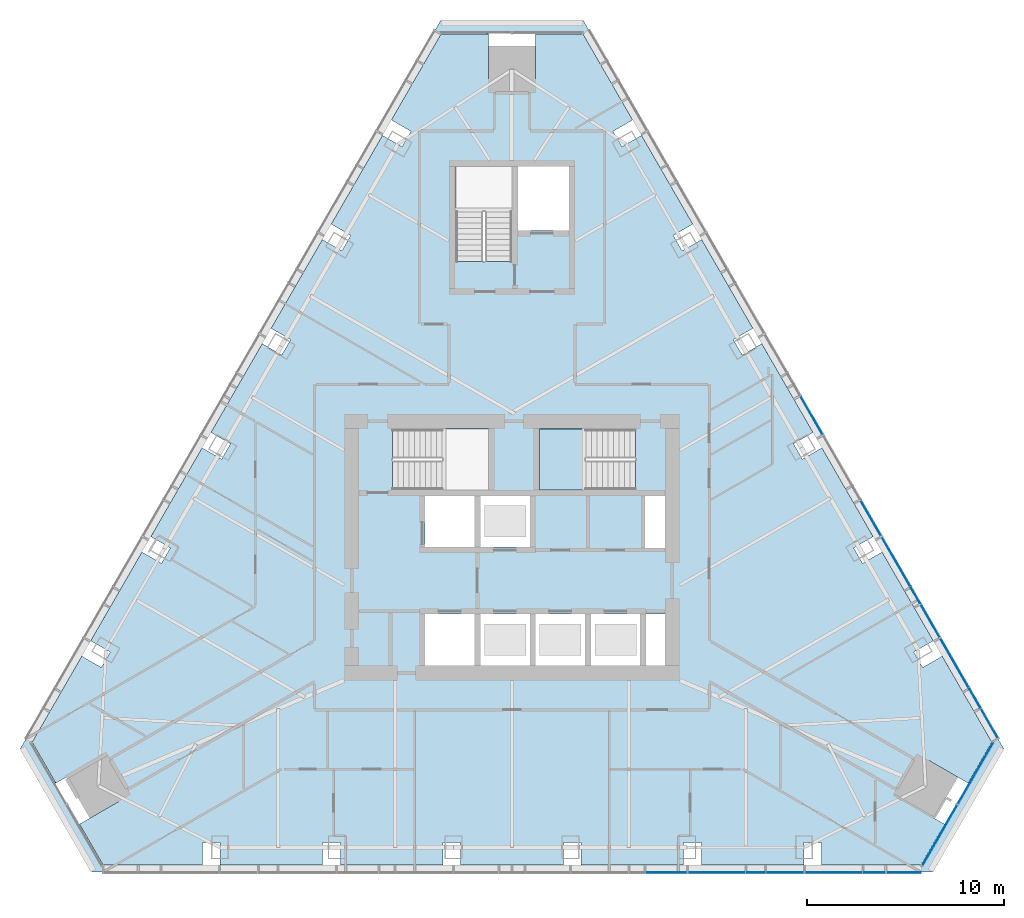
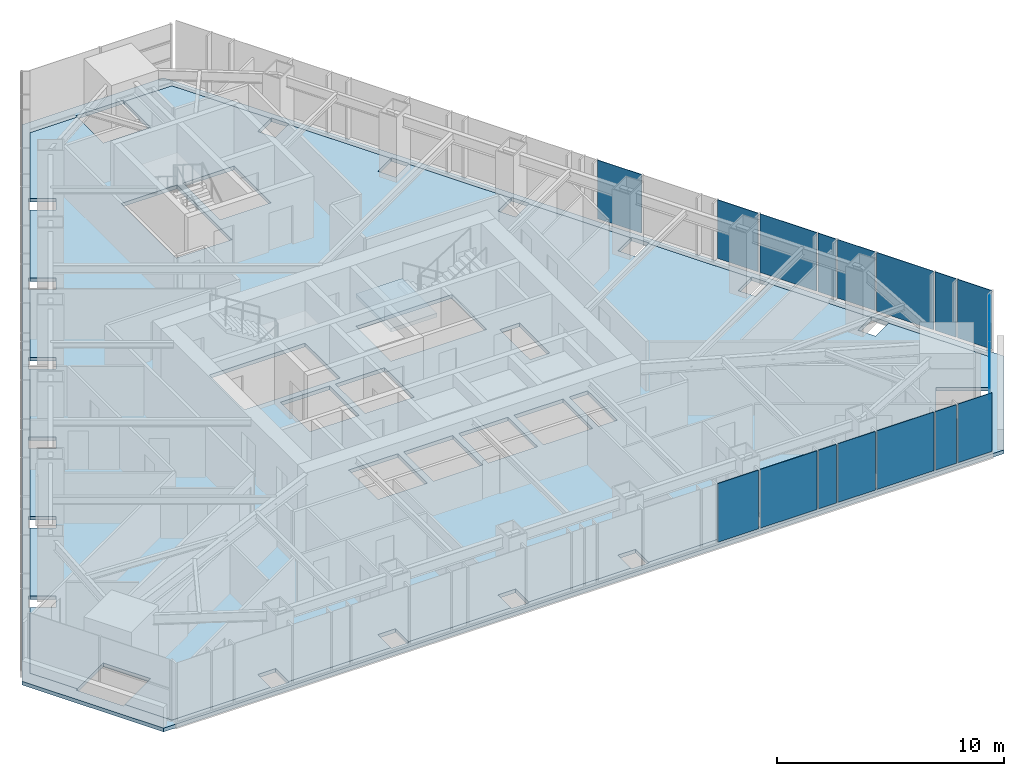
# One storey, part 8 of 15: 18 plates, 3 slabs, 4 elements without a shape of their own.
"""IFC4 building model written with IfcOpenShell, lengths in metres."""

from ifc_helpers import new_model, si_unit, direction, frame, origin, place, context, subcontext, project, spatial, polyline, outline, extrude, material, layer, layer_set, type_object, element, aggregate, save


model = new_model("IFC4")

# Units and contexts
model_context = context("Model", 3, precision=1e-05, world=origin(), true_north=direction((0.0, 1.0)))
body_context = subcontext(model_context, "Body", "Model", "MODEL_VIEW")
ifc_project = project(units=[si_unit("LENGTHUNIT", "METRE"), si_unit("AREAUNIT", "SQUARE_METRE"), si_unit("VOLUMEUNIT", "CUBIC_METRE"), si_unit("PLANEANGLEUNIT", "RADIAN"), si_unit("MASSUNIT", "GRAM", prefix="KILO")], contexts=[model_context])

# Site, building, storey
site_placement = place(None, origin())
site = spatial("IfcSite", under=ifc_project, at=site_placement, CompositionType="ELEMENT")
building_placement = place(site_placement, origin())
building = spatial("IfcBuilding", under=site, at=building_placement, Name="Firuza Gate Tower and Library", CompositionType="ELEMENT")
storey_placement = place(building_placement, frame((0.0, 0.0, 309.10009765625)))
storey = spatial("IfcBuildingStorey", under=building, at=storey_placement, Name="L75", CompositionType="ELEMENT", Elevation=309.10009765625)

# Slab
ifc_material_1 = material(Name="Concrete C40/50", Category="concrete")
ifc_layer_1 = layer(ifc_material_1, 0.199951171875)
ifc_layer_set_1 = layer_set([ifc_layer_1], Name="Composite floor slab 200 C40/50")
slab_type_1 = type_object("IfcSlabType", Name="Composite floor slab 200 C40/50", PredefinedType="FLOOR", material=ifc_layer_set_1)
placement_1 = place(storey_placement, frame((0.0, 0.0, -0.2001953125)))
element("IfcSlab", 1, at=placement_1, inside=storey, type_object=slab_type_1, Name="Floor slab L75", PredefinedType="FLOOR", context=body_context, shape_type="SweptSolid", body=[
    extrude(outline(polyline([(54.280029296875, 58.88037109375), (59.31005859375, 58.88037109375), (59.31005859375, 60.024658203125), (60.2099609375, 60.024658203125), (60.2099609375, 58.88037109375), (65.406005859375, 58.88037109375), (65.406005859375, 60.024658203125), (66.305908203125, 60.024658203125), (66.305908203125, 58.88037109375), (71.501953125, 58.88037109375), (71.501953125, 60.024658203125), (72.402099609375, 60.024658203125), (72.402099609375, 58.88037109375), (77.597900390625, 58.88037109375), (77.597900390625, 60.024658203125), (78.498046875, 60.024658203125), (78.498046875, 58.88037109375), (83.694091796875, 58.88037109375), (83.694091796875, 60.024658203125), (84.593994140625, 60.024658203125), (84.593994140625, 58.88037109375), (89.7900390625, 58.88037109375), (89.7900390625, 60.024658203125), (90.68994140625, 60.024658203125), (90.68994140625, 58.88037109375), (95.719970703125, 58.88037109375), (96.919921875, 60.958740234375), (94.93798828125, 62.103271484375), (96.137939453125, 64.181640625), (98.1201171875, 63.037353515625), (99.320068359375, 65.11572265625), (96.804931640625, 69.471923828125), (95.81396484375, 68.899658203125), (95.364013671875, 69.67919921875), (96.35498046875, 70.251220703125), (93.757080078125, 74.751220703125), (92.765869140625, 74.178955078125), (92.31591796875, 74.95849609375), (93.306884765625, 75.530517578125), (90.708984375, 80.030517578125), (89.718017578125, 79.458251953125), (89.26806640625, 80.23779296875), (90.259033203125, 80.809814453125), (87.660888671875, 85.309814453125), (86.669921875, 84.737548828125), (86.219970703125, 85.51708984375), (87.2109375, 86.089111328125), (84.613037109375, 90.589111328125), (83.6220703125, 90.016845703125), (83.171875, 90.79638671875), (84.1630859375, 91.368408203125), (81.56494140625, 95.868408203125), (80.573974609375, 95.296142578125), (80.1240234375, 96.07568359375), (81.114990234375, 96.647705078125), (78.60009765625, 101.00390625), (76.199951171875, 101.00390625), (76.199951171875, 98.715087890625), (73.800048828125, 98.715087890625), (73.800048828125, 101.00390625), (71.39990234375, 101.00390625), (68.885009765625, 96.647705078125), (69.8759765625, 96.07568359375), (69.426025390625, 95.296142578125), (68.43505859375, 95.868408203125), (65.8369140625, 91.368408203125), (66.828125, 90.79638671875), (66.3779296875, 90.016845703125), (65.386962890625, 90.589111328125), (62.7890625, 86.089111328125), (63.780029296875, 85.51708984375), (63.330078125, 84.737548828125), (62.339111328125, 85.309814453125), (59.740966796875, 80.809814453125), (60.73193359375, 80.23779296875), (60.281982421875, 79.458251953125), (59.291015625, 80.030517578125), (56.693115234375, 75.530517578125), (57.68408203125, 74.95849609375), (57.234130859375, 74.178955078125), (56.242919921875, 74.751220703125), (53.64501953125, 70.251220703125), (54.635986328125, 69.67919921875), (54.18603515625, 68.899658203125), (53.195068359375, 69.471923828125), (50.679931640625, 65.11572265625), (51.8798828125, 63.037353515625), (53.862060546875, 64.181640625), (55.06201171875, 62.103271484375), (53.080078125, 60.958740234375), (54.280029296875, 58.88037109375)]), holes=[polyline([(73.10009765625, 69.0), (70.60009765625, 69.0), (70.60009765625, 71.60009765625), (73.10009765625, 71.60009765625), (73.10009765625, 69.0)]), polyline([(75.89990234375, 69.0), (73.39990234375, 69.0), (73.39990234375, 71.60009765625), (75.89990234375, 71.60009765625), (75.89990234375, 69.0)]), polyline([(73.10009765625, 75.0), (70.60009765625, 75.0), (70.60009765625, 77.60009765625), (73.10009765625, 77.60009765625), (73.10009765625, 75.0)]), polyline([(75.89990234375, 75.0), (73.39990234375, 75.0), (73.39990234375, 77.60009765625), (75.89990234375, 77.60009765625), (75.89990234375, 75.0)]), polyline([(68.9404296875, 77.89990234375), (68.9404296875, 80.97998046875), (73.81005859375, 80.97998046875), (73.81005859375, 77.89990234375), (68.9404296875, 77.89990234375)]), polyline([(72.159912109375, 89.470458984375), (72.159912109375, 94.300048828125), (75.0, 94.300048828125), (75.0, 89.470458984375), (72.159912109375, 89.470458984375)]), polyline([(78.699951171875, 69.0), (76.199951171875, 69.0), (76.199951171875, 71.60009765625), (78.699951171875, 71.60009765625), (78.699951171875, 69.0)]), polyline([(81.5, 69.0), (79.0, 69.0), (79.0, 71.60009765625), (81.5, 71.60009765625), (81.5, 69.0)]), polyline([(82.75, 69.0), (81.800048828125, 69.0), (81.800048828125, 71.60009765625), (82.75, 71.60009765625), (82.75, 69.0)]), polyline([(82.75, 74.949951171875), (81.75, 74.949951171875), (81.75, 77.60009765625), (82.75, 77.60009765625), (82.75, 74.949951171875)]), polyline([(81.259521484375, 80.97998046875), (81.259521484375, 77.89990234375), (76.389892578125, 77.89990234375), (76.389892578125, 80.97998046875), (81.259521484375, 80.97998046875)]), polyline([(75.300048828125, 91.050048828125), (75.300048828125, 94.300048828125), (77.89990234375, 94.300048828125), (77.89990234375, 91.050048828125), (75.300048828125, 91.050048828125)])]), origin(), (0.0, 0.0, 1.0), 0.2001953125),
])

# Curtain wall, plate
ifc_material_2 = material(Name="Aluminium 6063-T6", Category="aluminium")
ifc_layer_2 = layer(ifc_material_2, 0.14990234375)
ifc_layer_set_2 = layer_set([ifc_layer_2], Name="Corner curtain wall, chamfers")
curtain_wall_type_1 = type_object("IfcCurtainWallType", Name="Corner curtain wall, chamfers", PredefinedType="NOTDEFINED", material=ifc_layer_set_2)
placement_2 = place(storey_placement, origin())
curtain_wall_1 = element("IfcCurtainWall", 2, at=placement_2, inside=storey, type_object=curtain_wall_type_1, Name="CW4 L75 SE corner", PredefinedType="NOTDEFINED")
ifc_material_3 = material(Name="Fritted glass", Category="glass")
ifc_layer_3 = layer(ifc_material_3, 0.030029296875)
ifc_layer_set_3 = layer_set([ifc_layer_3], Name="Fritted glass unit, corners")
plate_type_1 = type_object("IfcPlateType", Name="Fritted glass unit, corners", PredefinedType="CURTAIN_PANEL", material=ifc_layer_set_3)
plate_1_placement = place(storey_placement, frame((97.617919921875, 61.98779296875, 0.14990234375), z_axis=(0.866016723041, -0.500015035186, 0.0), x_axis=(0.500015035186, 0.866016723041, 0.0)))
plate_1 = element("IfcPlate", 3, at=plate_1_placement, type_object=plate_type_1, Name="Glass unit", PredefinedType="CURTAIN_PANEL", context=body_context, shape_type="SweptSolid", body=[
    extrude(outline(polyline([(0.0, 0.0), (3.5633694106530625, 0.0), (3.5633694106530625, 1.5349121093749998), (0.0, 1.5349121093749998), (0.0, 0.0)])), origin(), (0.0, 0.0, -1.0), 0.030029296875),
])

# Curtain wall, plates
ifc_material_4 = material(Name="Aluminium 6063-T6", Category="aluminium")
ifc_layer_4 = layer(ifc_material_4, 0.14990234375)
ifc_layer_set_4 = layer_set([ifc_layer_4], Name="Unitised curtain wall, residences")
curtain_wall_type_2 = type_object("IfcCurtainWallType", Name="Unitised curtain wall, residences", PredefinedType="NOTDEFINED", material=ifc_layer_set_4)
curtain_wall_2 = element("IfcCurtainWall", 4, at=placement_2, inside=storey, type_object=curtain_wall_type_2, Name="CW3 L75 S face", PredefinedType="NOTDEFINED")
ifc_material_5 = material(Name="Fritted glass", Category="glass")
ifc_layer_5 = layer(ifc_material_5, 0.030029296875)
ifc_layer_set_5 = layer_set([ifc_layer_5], Name="Fritted glass unit, residences")
plate_type_2 = type_object("IfcPlateType", Name="Fritted glass unit, residences", PredefinedType="CURTAIN_PANEL", material=ifc_layer_set_5)
plate_2_placement = place(storey_placement, frame((86.90478515625, 58.50048828125, 0.14990234375), z_axis=(0.0, -1.0, 0.0), x_axis=(1.0, 0.0, 0.0)))
plate_2 = element("IfcPlate", 5, at=plate_2_placement, type_object=plate_type_2, Name="Glass unit", PredefinedType="CURTAIN_PANEL", context=body_context, shape_type="SweptSolid", body=[
    extrude(outline(polyline([(0.0, 0.0), (0.900634765625, 0.0), (0.900634765625, 3.14990234375), (0.0, 3.14990234375), (0.0, 0.0)])), origin(), (0.0, 0.0, -1.0), 0.030029296875),
])
plate_3_placement = place(storey_placement, frame((92.837158203125, 58.50048828125, 0.14990234375), z_axis=(0.0, -1.0, 0.0), x_axis=(1.0, 0.0, 0.0)))
plate_3 = element("IfcPlate", 6, at=plate_3_placement, type_object=plate_type_2, Name="Glass unit", PredefinedType="CURTAIN_PANEL", context=body_context, shape_type="SweptSolid", body=[
    extrude(outline(polyline([(0.0, 0.0), (1.064208984375, 0.0), (1.064208984375, 3.14990234375), (0.0, 3.14990234375), (0.0, 0.0)])), origin(), (0.0, 0.0, -1.0), 0.030029296875),
])

curtain_wall_3 = element("IfcCurtainWall", 7, at=placement_2, inside=storey, type_object=curtain_wall_type_2, Name="CW3 L75 E face", PredefinedType="NOTDEFINED")
plate_4_placement = place(storey_placement, frame((98.73974609375, 66.880859375, 0.14990234375), z_axis=(0.866074799679, 0.49991443404, 0.0), x_axis=(-0.49991443404, 0.866074799679, 0.0)))
plate_4 = element("IfcPlate", 8, at=plate_4_placement, type_object=plate_type_2, Name="Glass unit", PredefinedType="CURTAIN_PANEL", context=body_context, shape_type="SweptSolid", body=[
    extrude(outline(polyline([(0.0, 0.0), (1.0641469532617625, 0.0), (1.0641469532617625, 3.14990234375), (0.0, 3.14990234375), (0.0, 0.0)])), origin(), (0.0, 0.0, -1.0), 0.030029296875),
])
plate_5_placement = place(storey_placement, frame((95.69189453125, 72.159912109375, 0.14990234375), z_axis=(0.865982457891, 0.500074377092, 0.0), x_axis=(-0.500074377092, 0.865982457891, 0.0)))
plate_5 = element("IfcPlate", 9, at=plate_5_placement, type_object=plate_type_2, Name="Glass unit", PredefinedType="CURTAIN_PANEL", context=body_context, shape_type="SweptSolid", body=[
    extrude(outline(polyline([(0.0, 0.0), (0.9007449166744468, 0.0), (0.9007449166744468, 3.14990234375), (0.0, 3.14990234375), (0.0, 0.0)])), origin(), (0.0, 0.0, -1.0), 0.030029296875),
])

# Plate
ifc_material_6 = material(Name="Glazed ceramic tile")
ifc_layer_6 = layer(ifc_material_6, 0.030029296875)
ifc_layer_set_6 = layer_set([ifc_layer_6], Name="Opaque ceramic panel, corners")
plate_type_3 = type_object("IfcPlateType", Name="Opaque ceramic panel, corners", PredefinedType="CURTAIN_PANEL", material=ifc_layer_set_6)
plate_6_placement = place(storey_placement, frame((95.79638671875, 58.83251953125, 0.14990234375), z_axis=(0.866046390552, -0.49996364809, 0.0), x_axis=(0.49996364809, 0.866046390552, 0.0)))
plate_6 = element("IfcPlate", 10, at=plate_6_placement, type_object=plate_type_3, Name="Opaque ceramic panel", PredefinedType="CURTAIN_PANEL", context=body_context, shape_type="SweptSolid", body=[
    extrude(outline(polyline([(0.0, 0.0), (3.563247342942594, 0.0), (3.563247342942594, 3.14990234375), (0.0, 3.14990234375), (0.0, 0.0)])), origin(), (0.0, 0.0, -1.0), 0.030029296875),
])

plate_7_placement = place(storey_placement, frame((97.617919921875, 61.98779296875, 1.764892578125), z_axis=(0.866016723041, -0.500015035186, 0.0), x_axis=(0.500015035186, 0.866016723041, 0.0)))
plate_7 = element("IfcPlate", 11, at=plate_7_placement, type_object=plate_type_3, Name="Opaque ceramic panel", PredefinedType="CURTAIN_PANEL", context=body_context, shape_type="SweptSolid", body=[
    extrude(outline(polyline([(0.0, 0.0), (3.5633694106530625, 0.0), (3.5633694106530625, 1.5349121093749998), (0.0, 1.5349121093749998), (0.0, 0.0)])), origin(), (0.0, 0.0, -1.0), 0.030029296875),
])

aggregate(curtain_wall_1, [plate_6, plate_1, plate_7])

ifc_material_7 = material(Name="Glazed ceramic tile")
ifc_layer_7 = layer(ifc_material_7, 0.030029296875)
ifc_layer_set_7 = layer_set([ifc_layer_7], Name="Opaque ceramic panel, residences")
plate_type_4 = type_object("IfcPlateType", Name="Opaque ceramic panel, residences", PredefinedType="CURTAIN_PANEL", material=ifc_layer_set_7)
plate_8_placement = place(storey_placement, frame((81.789306640625, 58.50048828125, 0.14990234375), z_axis=(0.0, -1.0, 0.0), x_axis=(1.0, 0.0, 0.0)))
plate_8 = element("IfcPlate", 12, at=plate_8_placement, type_object=plate_type_4, Name="Opaque ceramic panel", PredefinedType="CURTAIN_PANEL", context=body_context, shape_type="SweptSolid", body=[
    extrude(outline(polyline([(0.0, 0.0), (2.0693359375, 0.0), (2.0693359375, 3.14990234375), (0.0, 3.14990234375), (0.0, 0.0)])), origin(), (0.0, 0.0, -1.0), 0.030029296875),
])

plate_9_placement = place(storey_placement, frame((83.9384765625, 58.50048828125, 0.14990234375), z_axis=(0.0, -1.0, 0.0), x_axis=(1.0, 0.0, 0.0)))
plate_9 = element("IfcPlate", 13, at=plate_9_placement, type_object=plate_type_4, Name="Opaque ceramic panel", PredefinedType="CURTAIN_PANEL", context=body_context, shape_type="SweptSolid", body=[
    extrude(outline(polyline([(0.0, 0.0), (2.88623046875, 0.0), (2.88623046875, 3.14990234375), (0.0, 3.14990234375), (0.0, 0.0)])), origin(), (0.0, 0.0, -1.0), 0.030029296875),
])

plate_10_placement = place(storey_placement, frame((87.885498046875, 58.50048828125, 0.14990234375), z_axis=(0.0, -1.0, 0.0), x_axis=(1.0, 0.0, 0.0)))
plate_10 = element("IfcPlate", 14, at=plate_10_placement, type_object=plate_type_4, Name="Opaque ceramic panel", PredefinedType="CURTAIN_PANEL", context=body_context, shape_type="SweptSolid", body=[
    extrude(outline(polyline([(0.0, 0.0), (1.905517578125, 0.0), (1.905517578125, 3.14990234375), (0.0, 3.14990234375), (0.0, 0.0)])), origin(), (0.0, 0.0, -1.0), 0.030029296875),
])

plate_11_placement = place(storey_placement, frame((89.870849609375, 58.50048828125, 0.14990234375), z_axis=(0.0, -1.0, 0.0), x_axis=(1.0, 0.0, 0.0)))
plate_11 = element("IfcPlate", 15, at=plate_11_placement, type_object=plate_type_4, Name="Opaque ceramic panel", PredefinedType="CURTAIN_PANEL", context=body_context, shape_type="SweptSolid", body=[
    extrude(outline(polyline([(0.0, 0.0), (2.88623046875, 0.0), (2.88623046875, 3.14990234375), (0.0, 3.14990234375), (0.0, 0.0)])), origin(), (0.0, 0.0, -1.0), 0.030029296875),
])

plate_12_placement = place(storey_placement, frame((93.9814453125, 58.50048828125, 0.14990234375), z_axis=(0.0, -1.0, 0.0), x_axis=(1.0, 0.0, 0.0)))
plate_12 = element("IfcPlate", 16, at=plate_12_placement, type_object=plate_type_4, Name="Opaque ceramic panel", PredefinedType="CURTAIN_PANEL", context=body_context, shape_type="SweptSolid", body=[
    extrude(outline(polyline([(0.0, 0.0), (1.741943359375, 0.0), (1.741943359375, 3.14990234375), (0.0, 3.14990234375), (0.0, 0.0)])), origin(), (0.0, 0.0, -1.0), 0.030029296875),
])

aggregate(curtain_wall_2, [plate_8, plate_9, plate_2, plate_10, plate_11, plate_3, plate_12])

plate_13_placement = place(storey_placement, frame((99.650634765625, 65.302978515625, 0.14990234375), z_axis=(0.86605255055, 0.499952977474, 0.0), x_axis=(-0.499952977474, 0.86605255055, 0.0)))
plate_13 = element("IfcPlate", 17, at=plate_13_placement, type_object=plate_type_4, Name="Opaque ceramic panel", PredefinedType="CURTAIN_PANEL", context=body_context, shape_type="SweptSolid", body=[
    extrude(outline(polyline([(0.0, 0.0), (1.741863032348824, 0.0), (1.741863032348824, 3.14990234375), (0.0, 3.14990234375), (0.0, 0.0)])), origin(), (0.0, 0.0, -1.0), 0.030029296875),
])

plate_14_placement = place(storey_placement, frame((98.167724609375, 67.87158203125, 0.14990234375), z_axis=(0.866022182542, 0.500005579313, 0.0), x_axis=(-0.500005579313, 0.866022182542, 0.0)))
plate_14 = element("IfcPlate", 18, at=plate_14_placement, type_object=plate_type_4, Name="Opaque ceramic panel", PredefinedType="CURTAIN_PANEL", context=body_context, shape_type="SweptSolid", body=[
    extrude(outline(polyline([(0.0, 0.0), (2.886198262741801, 0.0), (2.886198262741801, 3.14990234375), (0.0, 3.14990234375), (0.0, 0.0)])), origin(), (0.0, 0.0, -1.0), 0.030029296875),
])

plate_15_placement = place(storey_placement, frame((96.6845703125, 70.4404296875, 0.14990234375), z_axis=(0.866019180744, 0.500010778468, 0.0), x_axis=(-0.500010778468, 0.866019180744, 0.0)))
plate_15 = element("IfcPlate", 19, at=plate_15_placement, type_object=plate_type_4, Name="Opaque ceramic panel", PredefinedType="CURTAIN_PANEL", context=body_context, shape_type="SweptSolid", body=[
    extrude(outline(polyline([(0.0, 0.0), (1.9057206372527769, 0.0), (1.9057206372527769, 3.14990234375), (0.0, 3.14990234375), (0.0, 0.0)])), origin(), (0.0, 0.0, -1.0), 0.030029296875),
])

plate_16_placement = place(storey_placement, frame((95.201416015625, 73.00927734375, 0.14990234375), z_axis=(0.866022182542, 0.500005579313, 0.0), x_axis=(-0.500005579313, 0.866022182542, 0.0)))
plate_16 = element("IfcPlate", 20, at=plate_16_placement, type_object=plate_type_4, Name="Opaque ceramic panel", PredefinedType="CURTAIN_PANEL", context=body_context, shape_type="SweptSolid", body=[
    extrude(outline(polyline([(0.0, 0.0), (2.886198262741801, 0.0), (2.886198262741801, 3.14990234375), (0.0, 3.14990234375), (0.0, 0.0)])), origin(), (0.0, 0.0, -1.0), 0.030029296875),
])

plate_17_placement = place(storey_placement, frame((93.71826171875, 75.578125, 0.14990234375), z_axis=(0.866063770229, 0.49993354148, 0.0), x_axis=(-0.49993354148, 0.866063770229, 0.0)))
plate_17 = element("IfcPlate", 21, at=plate_17_placement, type_object=plate_type_4, Name="Opaque ceramic panel", PredefinedType="CURTAIN_PANEL", context=body_context, shape_type="SweptSolid", body=[
    extrude(outline(polyline([(0.0, 0.0), (2.069122677912988, 0.0), (2.069122677912988, 3.14990234375), (0.0, 3.14990234375), (0.0, 0.0)])), origin(), (0.0, 0.0, -1.0), 0.030029296875),
])

plate_18_placement = place(storey_placement, frame((90.752197265625, 80.715576171875, 0.14990234375), z_axis=(0.866034468987, 0.49998429828, 0.0), x_axis=(-0.49998429828, 0.866034468987, 0.0)))
plate_18 = element("IfcPlate", 22, at=plate_18_placement, type_object=plate_type_4, Name="Opaque ceramic panel", PredefinedType="CURTAIN_PANEL", context=body_context, shape_type="SweptSolid", body=[
    extrude(outline(polyline([(0.0, 0.0), (2.2329802795116778, 0.0), (2.2329802795116778, 3.149902343750001), (0.0, 3.149902343750001), (0.0, 0.0)])), origin(), (0.0, 0.0, -1.0), 0.030029296875),
])

aggregate(curtain_wall_3, [plate_13, plate_4, plate_14, plate_15, plate_5, plate_16, plate_17, plate_18])

# Stair, slab
ifc_material_8 = material(Name="Concrete C35/45", Category="concrete")
stair_type = type_object("IfcStairType", Name="Exit stair ST8", PredefinedType="HALF_TURN_STAIR", material=ifc_material_8)
stair = element("IfcStair", 23, at=placement_2, inside=storey, type_object=stair_type, Name="L75 Stair ST2", PredefinedType="HALF_TURN_STAIR")
ifc_material_9 = material(Name="Concrete C35/45", Category="concrete")
ifc_layer_8 = layer(ifc_material_9, 0.199951171875)
ifc_layer_set_8 = layer_set([ifc_layer_8], Name="Stair landing 200")
slab_type_2 = type_object("IfcSlabType", Name="Stair landing 200", PredefinedType="LANDING", material=ifc_layer_set_8)
slab_2_placement = place(storey_placement, frame((0.0, 0.0, 1.5498046875)))
slab_2 = element("IfcSlab", 24, at=slab_2_placement, type_object=slab_type_2, Name="ST2 landing 1", PredefinedType="LANDING", context=body_context, shape_type="SweptSolid", body=[
    extrude(outline(polyline([(78.739990234375, 80.97998046875), (76.389892578125, 80.97998046875), (76.389892578125, 77.89990234375), (78.739990234375, 77.89990234375), (78.739990234375, 80.97998046875)])), origin(), (0.0, 0.0, 1.0), 0.2001953125),
])
aggregate(stair, [slab_2])

# Slab
ifc_material_10 = material(Name="Concrete C40/50", Category="concrete")
ifc_layer_9 = layer(ifc_material_10, 0.199951171875)
ifc_layer_set_9 = layer_set([ifc_layer_9], Name="Terrace slab 200 C40/50")
slab_type_3 = type_object("IfcSlabType", Name="Terrace slab 200 C40/50", PredefinedType="ROOF", material=ifc_layer_set_9)
element("IfcSlab", 25, at=placement_1, inside=storey, type_object=slab_type_3, Name="Terrace slab over L74", PredefinedType="ROOF", context=body_context, shape_type="SweptSolid", body=[
    extrude(outline(polyline([(71.39990234375, 101.715087890625), (50.06396484375, 64.760009765625), (53.6640625, 58.524658203125), (96.3359375, 58.524658203125), (99.93603515625, 64.760009765625), (78.60009765625, 101.715087890625), (71.39990234375, 101.715087890625)]), holes=[polyline([(54.280029296875, 58.88037109375), (54.280029296875, 58.88037109375), (54.280029296875, 58.88037109375), (53.080078125, 60.958740234375), (52.983642578125, 60.903076171875), (51.78369140625, 62.981689453125), (51.8798828125, 63.037353515625), (50.679931640625, 65.11572265625), (50.679931640625, 65.11572265625), (50.679931640625, 65.11572265625), (50.679931640625, 65.11572265625), (50.679931640625, 65.11572265625), (50.679931640625, 65.11572265625), (50.679931640625, 65.11572265625), (50.679931640625, 65.11572265625), (50.679931640625, 65.11572265625), (50.679931640625, 65.11572265625), (50.679931640625, 65.11572265625), (50.679931640625, 65.11572265625), (53.195068359375, 69.471923828125), (53.146728515625, 69.499755859375), (53.596923828125, 70.279052734375), (53.64501953125, 70.251220703125), (56.242919921875, 74.751220703125), (56.19482421875, 74.779052734375), (56.644775390625, 75.558349609375), (56.693115234375, 75.530517578125), (59.291015625, 80.030517578125), (59.242919921875, 80.058349609375), (59.69287109375, 80.837646484375), (59.740966796875, 80.809814453125), (62.339111328125, 85.309814453125), (62.290771484375, 85.337646484375), (62.74072265625, 86.116943359375), (62.7890625, 86.089111328125), (65.386962890625, 90.589111328125), (65.3388671875, 90.616943359375), (65.788818359375, 91.396240234375), (65.8369140625, 91.368408203125), (68.43505859375, 95.868408203125), (68.38671875, 95.896240234375), (68.8369140625, 96.675537109375), (68.885009765625, 96.647705078125), (71.39990234375, 101.00390625), (71.39990234375, 101.00390625), (71.39990234375, 101.00390625), (71.39990234375, 101.00390625), (71.39990234375, 101.00390625), (71.39990234375, 101.00390625), (71.39990234375, 101.00390625), (71.39990234375, 101.00390625), (71.39990234375, 101.00390625), (71.39990234375, 101.00390625), (71.39990234375, 101.00390625), (71.39990234375, 101.00390625), (73.800048828125, 101.00390625), (73.800048828125, 101.115234375), (76.199951171875, 101.115234375), (76.199951171875, 101.00390625), (78.60009765625, 101.00390625), (78.60009765625, 101.00390625), (78.60009765625, 101.00390625), (78.60009765625, 101.00390625), (78.60009765625, 101.00390625), (78.60009765625, 101.00390625), (78.60009765625, 101.00390625), (78.60009765625, 101.00390625), (78.60009765625, 101.00390625), (78.60009765625, 101.00390625), (78.60009765625, 101.00390625), (78.60009765625, 101.00390625), (81.114990234375, 96.647705078125), (81.1630859375, 96.675537109375), (81.61328125, 95.896240234375), (81.56494140625, 95.868408203125), (84.1630859375, 91.368408203125), (84.211181640625, 91.396240234375), (84.6611328125, 90.616943359375), (84.613037109375, 90.589111328125), (87.2109375, 86.089111328125), (87.25927734375, 86.116943359375), (87.709228515625, 85.337646484375), (87.660888671875, 85.309814453125), (90.259033203125, 80.809814453125), (90.30712890625, 80.837646484375), (90.757080078125, 80.058349609375), (90.708984375, 80.030517578125), (93.306884765625, 75.530517578125), (93.355224609375, 75.558349609375), (93.80517578125, 74.779052734375), (93.757080078125, 74.751220703125), (96.35498046875, 70.251220703125), (96.403076171875, 70.279052734375), (96.853271484375, 69.499755859375), (96.804931640625, 69.471923828125), (99.320068359375, 65.11572265625), (99.320068359375, 65.11572265625), (99.320068359375, 65.11572265625), (99.320068359375, 65.11572265625), (99.320068359375, 65.11572265625), (99.320068359375, 65.11572265625), (99.320068359375, 65.11572265625), (99.320068359375, 65.11572265625), (99.320068359375, 65.11572265625), (99.320068359375, 65.11572265625), (99.320068359375, 65.11572265625), (99.320068359375, 65.11572265625), (98.1201171875, 63.037353515625), (98.21630859375, 62.981689453125), (97.016357421875, 60.903076171875), (96.919921875, 60.958740234375), (95.719970703125, 58.88037109375), (95.719970703125, 58.88037109375), (95.719970703125, 58.88037109375), (95.719970703125, 58.88037109375), (95.719970703125, 58.88037109375), (95.719970703125, 58.88037109375), (95.719970703125, 58.88037109375), (95.719970703125, 58.88037109375), (95.719970703125, 58.88037109375), (95.719970703125, 58.88037109375), (95.719970703125, 58.88037109375), (95.719970703125, 58.88037109375), (90.68994140625, 58.88037109375), (90.68994140625, 58.82470703125), (89.7900390625, 58.82470703125), (89.7900390625, 58.88037109375), (84.593994140625, 58.88037109375), (84.593994140625, 58.82470703125), (83.694091796875, 58.82470703125), (83.694091796875, 58.88037109375), (78.498046875, 58.88037109375), (78.498046875, 58.82470703125), (77.597900390625, 58.82470703125), (77.597900390625, 58.88037109375), (72.402099609375, 58.88037109375), (72.402099609375, 58.82470703125), (71.501953125, 58.82470703125), (71.501953125, 58.88037109375), (66.305908203125, 58.88037109375), (66.305908203125, 58.82470703125), (65.406005859375, 58.82470703125), (65.406005859375, 58.88037109375), (60.2099609375, 58.88037109375), (60.2099609375, 58.82470703125), (59.31005859375, 58.82470703125), (59.31005859375, 58.88037109375), (54.280029296875, 58.88037109375), (54.280029296875, 58.88037109375), (54.280029296875, 58.88037109375), (54.280029296875, 58.88037109375), (54.280029296875, 58.88037109375), (54.280029296875, 58.88037109375), (54.280029296875, 58.88037109375), (54.280029296875, 58.88037109375), (54.280029296875, 58.88037109375), (54.280029296875, 58.88037109375)])]), origin(), (0.0, 0.0, 1.0), 0.2001953125),
])

save(model, "model.ifc")
